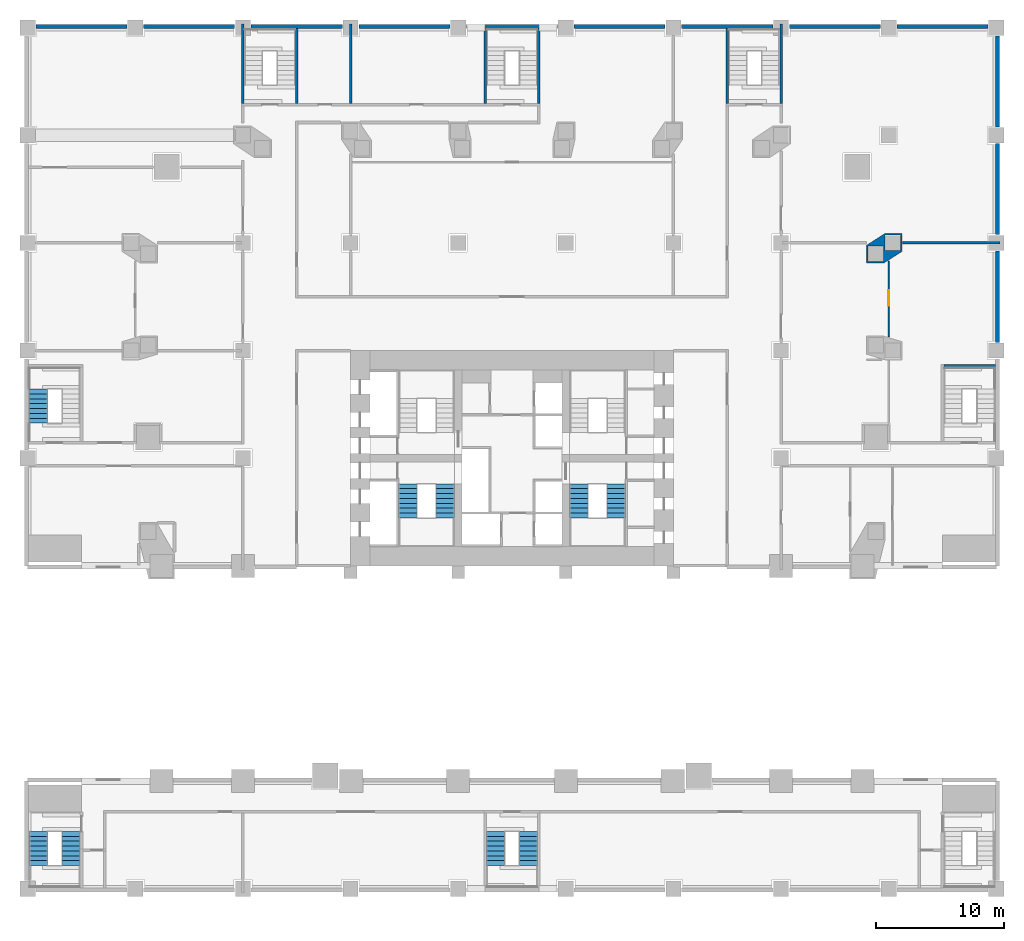
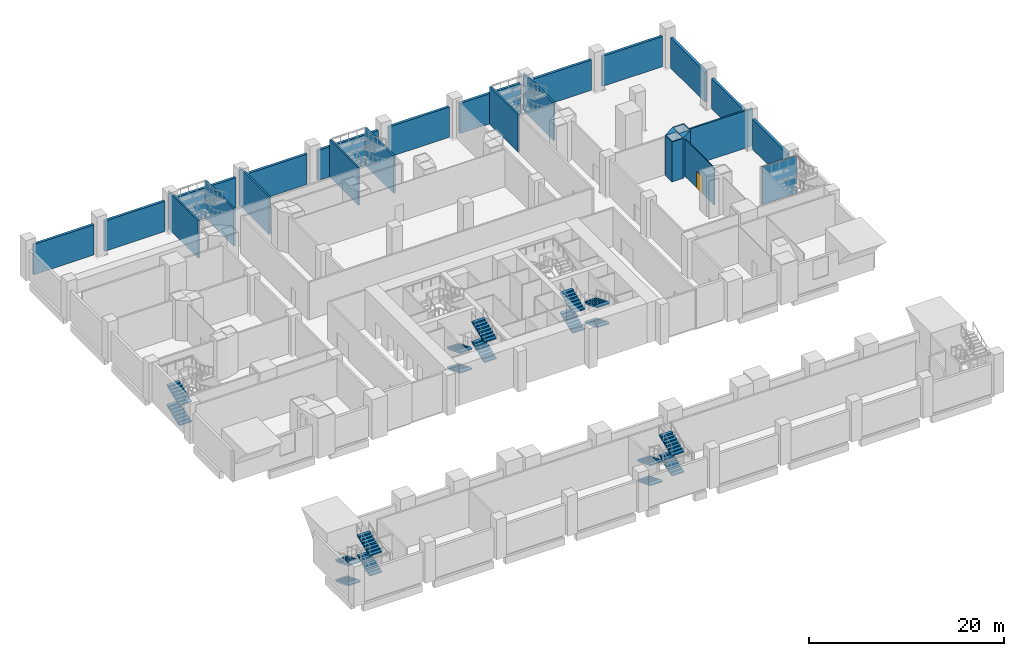
# One storey, part 9 of 16: 23 walls, 18 stair flights, 1 door, 1 opening, 5 elements without a shape of their own.
"""IFC4 building model written with IfcOpenShell, lengths in metres."""

from ifc_helpers import new_model, si_unit, direction, frame, frame_2d, origin, place, context, subcontext, project, spatial, polyline, rectangle, outline, extrude, material, layer, layer_set, type_object, element, fill, aggregate, save


model = new_model("IFC4")

# Units and contexts
model_context = context("Model", 3, precision=1e-05, world=origin(), true_north=direction((0.0, 1.0)))
body_context = subcontext(model_context, "Body", "Model", "MODEL_VIEW")
ifc_project = project(units=[si_unit("LENGTHUNIT", "METRE"), si_unit("AREAUNIT", "SQUARE_METRE"), si_unit("VOLUMEUNIT", "CUBIC_METRE"), si_unit("PLANEANGLEUNIT", "RADIAN"), si_unit("MASSUNIT", "GRAM", prefix="KILO")], contexts=[model_context])

# Site, building, storey
site_placement = place(None, origin())
site = spatial("IfcSite", under=ifc_project, at=site_placement, CompositionType="ELEMENT")
building_placement = place(site_placement, origin())
building = spatial("IfcBuilding", under=site, at=building_placement, Name="Marenta Gate Hotel Tower", CompositionType="ELEMENT")
storey_placement = place(building_placement, frame((0.0, 0.0, 21.0)))
storey = spatial("IfcBuildingStorey", under=building, at=storey_placement, Name="L03", CompositionType="ELEMENT", Elevation=21.0)

# Walls
ifc_material_1 = material(Name="Concrete C40 board-marked", Category="concrete")
ifc_layer_1 = layer(ifc_material_1, 0.300048828125)
ifc_layer_set_1 = layer_set([ifc_layer_1], Name="Concrete C40 board-marked")
wall_type_1 = type_object("IfcWallType", Name="Board-marked concrete wall 300 mm", PredefinedType="NOTDEFINED", material=ifc_layer_set_1)
wall_1_placement = place(storey_placement, frame((37.889892578125, 17.43994140625, 0.0), z_axis=(0.0, 0.0, 1.0), x_axis=(0.0, 1.0, 0.0)))
element("IfcWall", 1, at=wall_1_placement, inside=storey, type_object=wall_type_1, Name="L03-CLD-NB-E002", PredefinedType="NOTDEFINED", context=body_context, shape_type="SweptSolid", body=[
    extrude(rectangle(XDim=7.1201171875, YDim=0.300048828125, at=frame_2d((3.56005859375, 0.0))), origin(), (0.0, 0.0, 1.0), 3.780029296875),
])
wall_2_placement = place(storey_placement, frame((37.889892578125, 25.840087890625, 0.0), z_axis=(0.0, 0.0, 1.0), x_axis=(0.0, 1.0, 0.0)))
element("IfcWall", 2, at=wall_2_placement, inside=storey, type_object=wall_type_1, Name="L03-CLD-NB-E003", PredefinedType="NOTDEFINED", context=body_context, shape_type="SweptSolid", body=[
    extrude(rectangle(XDim=7.119873046875, YDim=0.300048828125, at=frame_2d((3.56005859375, 0.0))), origin(), (0.0, 0.0, 1.0), 3.780029296875),
])
wall_3_placement = place(storey_placement, frame((37.889892578125, 34.239990234375, 0.0), z_axis=(0.0, 0.0, 1.0), x_axis=(0.0, 1.0, 0.0)))
element("IfcWall", 3, at=wall_3_placement, inside=storey, type_object=wall_type_1, Name="L03-CLD-NB-E004", PredefinedType="NOTDEFINED", context=body_context, shape_type="SweptSolid", body=[
    extrude(rectangle(XDim=7.1201171875, YDim=0.300048828125, at=frame_2d((3.56005859375, 0.0))), origin(), (0.0, 0.0, 1.0), 3.780029296875),
])
wall_4_placement = place(storey_placement, frame((37.159912109375, 42.090087890625, 0.0), z_axis=(0.0, 0.0, 1.0), x_axis=(-1.0, 0.0, 0.0)))
element("IfcWall", 4, at=wall_4_placement, inside=storey, type_object=wall_type_1, Name="L03-CLD-NB-N000", PredefinedType="NOTDEFINED", context=body_context, shape_type="SweptSolid", body=[
    extrude(rectangle(XDim=7.119873046875, YDim=0.300048828125, at=frame_2d((3.56005859375, 0.0))), origin(), (0.0, 0.0, 1.0), 3.780029296875),
])
for number, where, z_axis, x_axis, name in (
    (5, (28.760009765625, 42.090087890625, 0.0), (0.0, 0.0, 1.0), (-1.0, 0.0, 0.0), "L03-CLD-NB-N001"),
    (6, (20.360107421875, 42.090087890625, 0.0), (0.0, 0.0, 1.0), (-1.0, 0.0, 0.0), "L03-CLD-NB-N002"),
):
    element("IfcWall", number, at=place(storey_placement, frame(where, z_axis=z_axis, x_axis=x_axis)), inside=storey, type_object=wall_type_1, Name=name, PredefinedType="NOTDEFINED", context=body_context, shape_type="SweptSolid", body=[
        extrude(rectangle(XDim=7.1201171875, YDim=0.300048828125, at=frame_2d((3.56005859375, 0.0))), origin(), (0.0, 0.0, 1.0), 3.780029296875),
    ])
wall_5_placement = place(storey_placement, frame((11.9599609375, 42.090087890625, 0.0), z_axis=(0.0, 0.0, 1.0), x_axis=(-1.0, 0.0, 0.0)))
element("IfcWall", 7, at=wall_5_placement, inside=storey, type_object=wall_type_1, Name="L03-CLD-NB-N003", PredefinedType="NOTDEFINED", context=body_context, shape_type="SweptSolid", body=[
    extrude(rectangle(XDim=7.119873046875, YDim=0.300048828125, at=frame_2d((3.56005859375, 0.0))), origin(), (0.0, 0.0, 1.0), 3.780029296875),
])
wall_6_placement = place(storey_placement, frame((3.56005859375, 42.090087890625, 0.0), z_axis=(0.0, 0.0, 1.0), x_axis=(-1.0, 0.0, 0.0)))
element("IfcWall", 8, at=wall_6_placement, inside=storey, type_object=wall_type_1, Name="L03-CLD-NB-N004", PredefinedType="NOTDEFINED", context=body_context, shape_type="SweptSolid", body=[
    extrude(rectangle(XDim=7.1201171875, YDim=0.300048828125, at=frame_2d((3.56005859375, 0.0))), origin(), (0.0, 0.0, 1.0), 3.780029296875),
])
wall_7_placement = place(storey_placement, frame((-4.840087890625, 42.090087890625, 0.0), z_axis=(0.0, 0.0, 1.0), x_axis=(-1.0, 0.0, 0.0)))
element("IfcWall", 9, at=wall_7_placement, inside=storey, type_object=wall_type_1, Name="L03-CLD-NB-N005", PredefinedType="NOTDEFINED", context=body_context, shape_type="SweptSolid", body=[
    extrude(rectangle(XDim=7.119873046875, YDim=0.300048828125, at=frame_2d((3.56005859375, 0.0))), origin(), (0.0, 0.0, 1.0), 3.780029296875),
])
for number, where, z_axis, x_axis, name in (
    (10, (-13.239990234375, 42.090087890625, 0.0), (0.0, 0.0, 1.0), (-1.0, 0.0, 0.0), "L03-CLD-NB-N006"),
    (11, (-21.639892578125, 42.090087890625, 0.0), (0.0, 0.0, 1.0), (-1.0, 0.0, 0.0), "L03-CLD-NB-N007"),
):
    element("IfcWall", number, at=place(storey_placement, frame(where, z_axis=z_axis, x_axis=x_axis)), inside=storey, type_object=wall_type_1, Name=name, PredefinedType="NOTDEFINED", context=body_context, shape_type="SweptSolid", body=[
        extrude(rectangle(XDim=7.1201171875, YDim=0.300048828125, at=frame_2d((3.56005859375, 0.0))), origin(), (0.0, 0.0, 1.0), 3.780029296875),
    ])
wall_8_placement = place(storey_placement, frame((-30.0400390625, 42.090087890625, 0.0), z_axis=(0.0, 0.0, 1.0), x_axis=(-1.0, 0.0, 0.0)))
element("IfcWall", 12, at=wall_8_placement, inside=storey, type_object=wall_type_1, Name="L03-CLD-NB-N008", PredefinedType="NOTDEFINED", context=body_context, shape_type="SweptSolid", body=[
    extrude(rectangle(XDim=7.119873046875, YDim=0.300048828125, at=frame_2d((3.56005859375, 0.0))), origin(), (0.0, 0.0, 1.0), 3.780029296875),
])
ifc_material_2 = material(Name="Concrete C70", Category="concrete")
ifc_layer_2 = layer(ifc_material_2, 1.60009765625)
ifc_layer_set_2 = layer_set([ifc_layer_2], Name="Concrete C70")
wall_type_2 = type_object("IfcWallType", Name="Pier wall board-marked concrete C70", PredefinedType="SOLIDWALL", material=ifc_layer_set_2)
wall_9_placement = place(storey_placement, origin())
element("IfcWall", 13, at=wall_9_placement, inside=storey, type_object=wall_type_2, Name="L03-PIER-10", PredefinedType="SOLIDWALL", context=body_context, shape_type="SweptSolid", body=[
    extrude(outline(polyline([(27.679931640625, 25.022216796875), (29.0849609375, 25.919921875), (30.43994140625, 25.919921875), (30.43994140625, 24.5341796875), (29.03515625, 23.636474609375), (27.679931640625, 23.636474609375), (27.679931640625, 25.022216796875)]), holes=[polyline([(29.1201171875, 24.60009765625), (30.320068359375, 24.60009765625), (30.320068359375, 25.800048828125), (29.1201171875, 25.800048828125), (29.1201171875, 24.60009765625)]), polyline([(27.800048828125, 23.75634765625), (29.0, 23.75634765625), (29.0, 24.956298828125), (27.800048828125, 24.956298828125), (27.800048828125, 23.75634765625)])]), origin(), (0.0, 0.0, 1.0), 5.0),
])

# Wall, opening, door
ifc_material_3 = material(Name="Gypsum board on steel stud", Category="steel")
ifc_layer_3 = layer(ifc_material_3, 0.10009765625)
ifc_layer_set_3 = layer_set([ifc_layer_3], Name="Gypsum board on steel stud")
wall_type_3 = type_object("IfcWallType", Name="Room partition 100", PredefinedType="PARTITIONING", material=ifc_layer_set_3)
wall_10_placement = place(storey_placement, frame((29.39990234375, 17.8779296875, 0.0), z_axis=(0.0, 0.0, 1.0), x_axis=(0.0, 1.0, 0.0)))
wall_10 = element("IfcWall", 14, at=wall_10_placement, inside=storey, type_object=wall_type_3, Name="L03-PTN-W009", PredefinedType="PARTITIONING", context=body_context, shape_type="SweptSolid", body=[
    extrude(rectangle(XDim=5.9111328125, YDim=0.10009765625, at=frame_2d((2.95556640625, 0.0))), origin(), (0.0, 0.0, 1.0), 4.679931640625),
])
opening_placement = place(wall_10_placement, frame((2.412109375, 0.0, 0.0)))
opening = element("IfcOpeningElement", 15, at=opening_placement, cuts=wall_10, Name="Opening S04-12", PredefinedType="OPENING", context=body_context, shape_type="SweptSolid", body=[
    extrude(rectangle(XDim=1.199951171875, YDim=2.10009765625, at=frame_2d((0.60009765625, 1.050048828125))), frame((0.0, 0.050048828125, 0.0), z_axis=(0.0, -1.0, 0.0), x_axis=(1.0, 0.0, 0.0)), (0.0, 0.0, 1.0), 0.10009765625),
])
ifc_material_4 = material(Name="Hollow steel door set", Category="steel")
door_type = type_object("IfcDoorType", Name="Kitchen room door 1200x2100", OperationType="NOTDEFINED", PredefinedType="DOOR", material=ifc_material_4)
door_placement = place(opening_placement, origin())
door = element("IfcDoor", 16, at=door_placement, inside=storey, type_object=door_type, Name="L03-PD-D012", OperationType="SINGLE_SWING_LEFT", OverallHeight=2.10009765625, OverallWidth=1.199951171875, PredefinedType="DOOR", context=body_context, shape_type="SweptSolid", body=[
    extrude(rectangle(XDim=1.199951171875, YDim=2.10009765625, at=frame_2d((0.60009765625, 1.050048828125))), frame((0.0, 0.02490234375, 0.0), z_axis=(0.0, -1.0, 0.0), x_axis=(1.0, 0.0, 0.0)), (0.0, 0.0, 1.0), 0.050048828125),
])
fill(opening, door)

# Walls
ifc_material_5 = material(Name="Concrete blockwork", Category="masonry")
ifc_layer_4 = layer(ifc_material_5, 0.199951171875)
ifc_layer_set_4 = layer_set([ifc_layer_4], Name="Concrete blockwork")
wall_type_4 = type_object("IfcWallType", Name="Room party wall 200 EI 120", PredefinedType="PARTITIONING", material=ifc_layer_set_4)
wall_11_placement = place(storey_placement, frame((-12.60009765625, 36.10009765625, 0.0), z_axis=(0.0, 0.0, 1.0), x_axis=(0.0, 1.0, 0.0)))
element("IfcWall", 17, at=wall_11_placement, inside=storey, type_object=wall_type_4, Name="L03-PTN-W043", PredefinedType="PARTITIONING", context=body_context, shape_type="SweptSolid", body=[
    extrude(rectangle(XDim=6.199951171875, YDim=0.199951171875, at=frame_2d((3.10009765625, 0.0))), origin(), (0.0, 0.0, 1.0), 4.679931640625),
])
wall_12_placement = place(storey_placement, frame((30.489990234375, 25.199951171875, 0.0), z_axis=(0.0, 0.0, 1.0), x_axis=(1.0, 0.0, 0.0)))
element("IfcWall", 18, at=wall_12_placement, inside=storey, type_object=wall_type_4, Name="L03-PTN-W064", PredefinedType="PARTITIONING", context=body_context, shape_type="SweptSolid", body=[
    extrude(rectangle(XDim=7.610107421875, YDim=0.199951171875, at=frame_2d((3.80517578125, 0.0))), origin(), (0.0, 0.0, 1.0), 4.679931640625),
])
ifc_material_6 = material(Name="Concrete blockwork", Category="masonry")
ifc_layer_5 = layer(ifc_material_6, 0.199951171875)
ifc_layer_set_5 = layer_set([ifc_layer_5], Name="Concrete blockwork")
wall_type_5 = type_object("IfcWallType", Name="Room party wall 200 REI 180", PredefinedType="PARTITIONING", material=ifc_layer_set_5)
wall_13_placement = place(storey_placement, frame((21.0, 36.10009765625, 0.0), z_axis=(0.0, 0.0, 1.0), x_axis=(0.0, 1.0, 0.0)))
element("IfcWall", 19, at=wall_13_placement, inside=storey, type_object=wall_type_5, Name="L03-PTN-W020", PredefinedType="PARTITIONING", context=body_context, shape_type="SweptSolid", body=[
    extrude(rectangle(XDim=6.199951171875, YDim=0.199951171875, at=frame_2d((3.10009765625, 0.0))), origin(), (0.0, 0.0, 1.0), 4.679931640625),
])
for number, where, z_axis, x_axis, name in (
    (20, (16.800048828125, 36.10009765625, 0.0), (0.0, 0.0, 1.0), (0.0, 1.0, 0.0), "L03-PTN-W025"),
    (21, (2.10009765625, 36.10009765625, 0.0), (0.0, 0.0, 1.0), (0.0, 1.0, 0.0), "L03-PTN-W029"),
    (22, (-2.10009765625, 36.10009765625, 0.0), (0.0, 0.0, 1.0), (0.0, 1.0, 0.0), "L03-PTN-W032"),
):
    element("IfcWall", number, at=place(storey_placement, frame(where, z_axis=z_axis, x_axis=x_axis)), inside=storey, type_object=wall_type_5, Name=name, PredefinedType="PARTITIONING", context=body_context, shape_type="SweptSolid", body=[
        extrude(rectangle(XDim=5.83984375, YDim=0.199951171875, at=frame_2d((2.919921875, 0.0))), origin(), (0.0, 0.0, 1.0), 4.679931640625),
    ])
wall_14_placement = place(storey_placement, frame((33.699951171875, 15.60009765625, 0.0), z_axis=(0.0, 0.0, 1.0), x_axis=(1.0, 0.0, 0.0)))
element("IfcWall", 23, at=wall_14_placement, inside=storey, type_object=wall_type_5, Name="L03-PTN-W045", PredefinedType="PARTITIONING", context=body_context, shape_type="SweptSolid", body=[
    extrude(rectangle(XDim=4.0400390625, YDim=0.199951171875, at=frame_2d((2.02001953125, 0.0))), origin(), (0.0, 0.0, 1.0), 4.679931640625),
])
wall_15_placement = place(storey_placement, frame((-16.800048828125, 36.10009765625, 0.0), z_axis=(0.0, 0.0, 1.0), x_axis=(0.0, 1.0, 0.0)))
element("IfcWall", 24, at=wall_15_placement, inside=storey, type_object=wall_type_5, Name="L03-PTN-W049", PredefinedType="PARTITIONING", context=body_context, shape_type="SweptSolid", body=[
    extrude(rectangle(XDim=5.83984375, YDim=0.199951171875, at=frame_2d((2.919921875, 0.0))), origin(), (0.0, 0.0, 1.0), 4.679931640625),
])
wall_16_placement = place(storey_placement, frame((-21.0, 36.10009765625, 0.0), z_axis=(0.0, 0.0, 1.0), x_axis=(0.0, 1.0, 0.0)))
element("IfcWall", 25, at=wall_16_placement, inside=storey, type_object=wall_type_5, Name="L03-PTN-W057", PredefinedType="PARTITIONING", context=body_context, shape_type="SweptSolid", body=[
    extrude(rectangle(XDim=6.199951171875, YDim=0.199951171875, at=frame_2d((3.10009765625, 0.0))), origin(), (0.0, 0.0, 1.0), 4.679931640625),
])

# Stair, stair flights
ifc_material_7 = material(Name="Concrete C40", Category="concrete")
stair_type_1 = type_object("IfcStairType", Name="Core exit stair 1430 wide", PredefinedType="HALF_TURN_STAIR", material=ifc_material_7)
stair_1_placement = place(storey_placement, origin())
stair_1 = element("IfcStair", 26, at=stair_1_placement, inside=storey, type_object=stair_type_1, Name="Exit stair 1", PredefinedType="HALF_TURN_STAIR")
ifc_material_8 = material(Name="Concrete C40", Category="concrete")
stair_flight_type_1 = type_object("IfcStairFlightType", Name="Core stair flight 1430 riser 156.2 going 380", PredefinedType="STRAIGHT", material=ifc_material_8)
stair_flight_1_placement = place(storey_placement, frame((-8.135009765625, 6.39990234375, 0.0), z_axis=(0.0, 0.0, 1.0), x_axis=(0.0, -1.0, 0.0)))
stair_flight_1 = element("IfcStairFlight", 27, at=stair_flight_1_placement, type_object=stair_flight_type_1, Name="ST1 flight 1", NumberOfRisers=8, NumberOfTreads=7, PredefinedType="STRAIGHT", RiserHeight=0.15625, TreadLength=0.38, context=body_context, shape_type="SweptSolid", body=[
    extrude(outline(polyline([(0.0, 0.0), (0.0, 0.15625), (0.3798828125, 0.15625), (0.3798828125, 0.3125), (0.760009765625, 0.3125), (0.760009765625, 0.46875), (1.139892578125, 0.46875), (1.139892578125, 0.625), (1.52001953125, 0.625), (1.52001953125, 0.78125), (1.89990234375, 0.78125), (1.89990234375, 0.9375), (2.280029296875, 0.9375), (2.280029296875, 1.09375), (2.659912109375, 1.09375), (2.659912109375, 1.25), (2.659912109375, 0.931640625), (0.394287109375, 0.0), (0.0, 0.0)])), frame((0.0, 0.71484375, 0.0), z_axis=(0.0, -1.0, 0.0), x_axis=(1.0, 0.0, 0.0)), (0.0, 0.0, 1.0), 1.429931640625),
])
stair_flight_2_placement = place(storey_placement, frame((-5.215087890625, 3.739990234375, 1.25), z_axis=(0.0, 0.0, 1.0), x_axis=(0.0, 1.0, 0.0)))
stair_flight_2 = element("IfcStairFlight", 28, at=stair_flight_2_placement, type_object=stair_flight_type_1, Name="ST1 flight 2", NumberOfRisers=8, NumberOfTreads=7, PredefinedType="STRAIGHT", RiserHeight=0.15625, TreadLength=0.38, context=body_context, shape_type="SweptSolid", body=[
    extrude(outline(polyline([(0.0, 0.0), (0.0, 0.15625), (0.3798828125, 0.15625), (0.3798828125, 0.3125), (0.760009765625, 0.3125), (0.760009765625, 0.46875), (1.139892578125, 0.46875), (1.139892578125, 0.625), (1.52001953125, 0.625), (1.52001953125, 0.78125), (1.89990234375, 0.78125), (1.89990234375, 0.9375), (2.280029296875, 0.9375), (2.280029296875, 1.09375), (2.659912109375, 1.09375), (2.659912109375, 1.25), (2.659912109375, 0.931640625), (0.394287109375, 0.0), (0.0, 0.0)])), frame((0.0, 0.71484375, 0.0), z_axis=(0.0, -1.0, 0.0), x_axis=(1.0, 0.0, 0.0)), (0.0, 0.0, 1.0), 1.429931640625),
])
stair_flight_3_placement = place(storey_placement, frame((-8.135009765625, 6.39990234375, 2.5), z_axis=(0.0, 0.0, 1.0), x_axis=(0.0, -1.0, 0.0)))
stair_flight_3 = element("IfcStairFlight", 29, at=stair_flight_3_placement, type_object=stair_flight_type_1, Name="ST1 flight 3", NumberOfRisers=8, NumberOfTreads=7, PredefinedType="STRAIGHT", RiserHeight=0.15625, TreadLength=0.38, context=body_context, shape_type="SweptSolid", body=[
    extrude(outline(polyline([(0.0, 0.0), (0.0, 0.15625), (0.3798828125, 0.15625), (0.3798828125, 0.3125), (0.760009765625, 0.3125), (0.760009765625, 0.46875), (1.139892578125, 0.46875), (1.139892578125, 0.625), (1.52001953125, 0.625), (1.52001953125, 0.78125), (1.89990234375, 0.78125), (1.89990234375, 0.9375), (2.280029296875, 0.9375), (2.280029296875, 1.09375), (2.659912109375, 1.09375), (2.659912109375, 1.25), (2.659912109375, 0.931640625), (0.394287109375, 0.0), (0.0, 0.0)])), frame((0.0, 0.71484375, 0.0), z_axis=(0.0, -1.0, 0.0), x_axis=(1.0, 0.0, 0.0)), (0.0, 0.0, 1.0), 1.429931640625),
])
stair_flight_4_placement = place(storey_placement, frame((-5.215087890625, 3.739990234375, 3.75), z_axis=(0.0, 0.0, 1.0), x_axis=(0.0, 1.0, 0.0)))
stair_flight_4 = element("IfcStairFlight", 30, at=stair_flight_4_placement, type_object=stair_flight_type_1, Name="ST1 flight 4", NumberOfRisers=8, NumberOfTreads=7, PredefinedType="STRAIGHT", RiserHeight=0.15625, TreadLength=0.38, context=body_context, shape_type="SweptSolid", body=[
    extrude(outline(polyline([(0.0, 0.0), (0.0, 0.15625), (0.3798828125, 0.15625), (0.3798828125, 0.3125), (0.760009765625, 0.3125), (0.760009765625, 0.46875), (1.139892578125, 0.46875), (1.139892578125, 0.625), (1.52001953125, 0.625), (1.52001953125, 0.78125), (1.89990234375, 0.78125), (1.89990234375, 0.9375), (2.280029296875, 0.9375), (2.280029296875, 1.09375), (2.659912109375, 1.09375), (2.659912109375, 1.25), (2.659912109375, 0.931640625), (0.394287109375, 0.0), (0.0, 0.0)])), frame((0.0, 0.71484375, 0.0), z_axis=(0.0, -1.0, 0.0), x_axis=(1.0, 0.0, 0.0)), (0.0, 0.0, 1.0), 1.429931640625),
])
aggregate(stair_1, [stair_flight_1, stair_flight_2, stair_flight_3, stair_flight_4])

stair_2_placement = place(storey_placement, origin())
stair_2 = element("IfcStair", 31, at=stair_2_placement, inside=storey, type_object=stair_type_1, Name="Exit stair 3", PredefinedType="HALF_TURN_STAIR")
stair_flight_5_placement = place(storey_placement, frame((8.135009765625, 6.39990234375, 0.0), z_axis=(0.0, 0.0, 1.0), x_axis=(0.0, -1.0, 0.0)))
stair_flight_5 = element("IfcStairFlight", 32, at=stair_flight_5_placement, type_object=stair_flight_type_1, Name="ST3 flight 1", NumberOfRisers=8, NumberOfTreads=7, PredefinedType="STRAIGHT", RiserHeight=0.15625, TreadLength=0.38, context=body_context, shape_type="SweptSolid", body=[
    extrude(outline(polyline([(0.0, 0.0), (0.0, 0.15625), (0.3798828125, 0.15625), (0.3798828125, 0.3125), (0.760009765625, 0.3125), (0.760009765625, 0.46875), (1.139892578125, 0.46875), (1.139892578125, 0.625), (1.52001953125, 0.625), (1.52001953125, 0.78125), (1.89990234375, 0.78125), (1.89990234375, 0.9375), (2.280029296875, 0.9375), (2.280029296875, 1.09375), (2.659912109375, 1.09375), (2.659912109375, 1.25), (2.659912109375, 0.931640625), (0.394287109375, 0.0), (0.0, 0.0)])), frame((0.0, 0.71484375, 0.0), z_axis=(0.0, -1.0, 0.0), x_axis=(1.0, 0.0, 0.0)), (0.0, 0.0, 1.0), 1.429931640625),
])
stair_flight_6_placement = place(storey_placement, frame((5.215087890625, 3.739990234375, 1.25), z_axis=(0.0, 0.0, 1.0), x_axis=(0.0, 1.0, 0.0)))
stair_flight_6 = element("IfcStairFlight", 33, at=stair_flight_6_placement, type_object=stair_flight_type_1, Name="ST3 flight 2", NumberOfRisers=8, NumberOfTreads=7, PredefinedType="STRAIGHT", RiserHeight=0.15625, TreadLength=0.38, context=body_context, shape_type="SweptSolid", body=[
    extrude(outline(polyline([(0.0, 0.0), (0.0, 0.15625), (0.3798828125, 0.15625), (0.3798828125, 0.3125), (0.760009765625, 0.3125), (0.760009765625, 0.46875), (1.139892578125, 0.46875), (1.139892578125, 0.625), (1.52001953125, 0.625), (1.52001953125, 0.78125), (1.89990234375, 0.78125), (1.89990234375, 0.9375), (2.280029296875, 0.9375), (2.280029296875, 1.09375), (2.659912109375, 1.09375), (2.659912109375, 1.25), (2.659912109375, 0.931640625), (0.394287109375, 0.0), (0.0, 0.0)])), frame((0.0, 0.71484375, 0.0), z_axis=(0.0, -1.0, 0.0), x_axis=(1.0, 0.0, 0.0)), (0.0, 0.0, 1.0), 1.429931640625),
])
stair_flight_7_placement = place(storey_placement, frame((8.135009765625, 6.39990234375, 2.5), z_axis=(0.0, 0.0, 1.0), x_axis=(0.0, -1.0, 0.0)))
stair_flight_7 = element("IfcStairFlight", 34, at=stair_flight_7_placement, type_object=stair_flight_type_1, Name="ST3 flight 3", NumberOfRisers=8, NumberOfTreads=7, PredefinedType="STRAIGHT", RiserHeight=0.15625, TreadLength=0.38, context=body_context, shape_type="SweptSolid", body=[
    extrude(outline(polyline([(0.0, 0.0), (0.0, 0.15625), (0.3798828125, 0.15625), (0.3798828125, 0.3125), (0.760009765625, 0.3125), (0.760009765625, 0.46875), (1.139892578125, 0.46875), (1.139892578125, 0.625), (1.52001953125, 0.625), (1.52001953125, 0.78125), (1.89990234375, 0.78125), (1.89990234375, 0.9375), (2.280029296875, 0.9375), (2.280029296875, 1.09375), (2.659912109375, 1.09375), (2.659912109375, 1.25), (2.659912109375, 0.931640625), (0.394287109375, 0.0), (0.0, 0.0)])), frame((0.0, 0.71484375, 0.0), z_axis=(0.0, -1.0, 0.0), x_axis=(1.0, 0.0, 0.0)), (0.0, 0.0, 1.0), 1.429931640625),
])
stair_flight_8_placement = place(storey_placement, frame((5.215087890625, 3.739990234375, 3.75), z_axis=(0.0, 0.0, 1.0), x_axis=(0.0, 1.0, 0.0)))
stair_flight_8 = element("IfcStairFlight", 35, at=stair_flight_8_placement, type_object=stair_flight_type_1, Name="ST3 flight 4", NumberOfRisers=8, NumberOfTreads=7, PredefinedType="STRAIGHT", RiserHeight=0.15625, TreadLength=0.38, context=body_context, shape_type="SweptSolid", body=[
    extrude(outline(polyline([(0.0, 0.0), (0.0, 0.15625), (0.3798828125, 0.15625), (0.3798828125, 0.3125), (0.760009765625, 0.3125), (0.760009765625, 0.46875), (1.139892578125, 0.46875), (1.139892578125, 0.625), (1.52001953125, 0.625), (1.52001953125, 0.78125), (1.89990234375, 0.78125), (1.89990234375, 0.9375), (2.280029296875, 0.9375), (2.280029296875, 1.09375), (2.659912109375, 1.09375), (2.659912109375, 1.25), (2.659912109375, 0.931640625), (0.394287109375, 0.0), (0.0, 0.0)])), frame((0.0, 0.71484375, 0.0), z_axis=(0.0, -1.0, 0.0), x_axis=(1.0, 0.0, 0.0)), (0.0, 0.0, 1.0), 1.429931640625),
])
aggregate(stair_2, [stair_flight_5, stair_flight_6, stair_flight_7, stair_flight_8])

ifc_material_9 = material(Name="Concrete C40", Category="concrete")
stair_type_2 = type_object("IfcStairType", Name="Podium exit stair 1430 wide", PredefinedType="HALF_TURN_STAIR", material=ifc_material_9)
stair_3_placement = place(storey_placement, origin())
stair_3 = element("IfcStair", 36, at=stair_3_placement, inside=storey, type_object=stair_type_2, Name="Podium exit stair 1", PredefinedType="HALF_TURN_STAIR")
ifc_material_10 = material(Name="Concrete C40", Category="concrete")
stair_flight_type_2 = type_object("IfcStairFlightType", Name="Podium stair flight 1430 riser 156.2 going 380", PredefinedType="STRAIGHT", material=ifc_material_10)
stair_flight_9_placement = place(storey_placement, frame((-36.985107421875, -20.72998046875, 0.0), z_axis=(0.0, 0.0, 1.0), x_axis=(0.0, -1.0, 0.0)))
stair_flight_9 = element("IfcStairFlight", 37, at=stair_flight_9_placement, type_object=stair_flight_type_2, Name="PX1 flight 1", NumberOfRisers=8, NumberOfTreads=7, PredefinedType="STRAIGHT", RiserHeight=0.15625, TreadLength=0.38, context=body_context, shape_type="SweptSolid", body=[
    extrude(outline(polyline([(0.0, 0.0), (0.0, 0.15625), (0.3798828125, 0.15625), (0.3798828125, 0.3125), (0.760009765625, 0.3125), (0.760009765625, 0.46875), (1.139892578125, 0.46875), (1.139892578125, 0.625), (1.52001953125, 0.625), (1.52001953125, 0.78125), (1.89990234375, 0.78125), (1.89990234375, 0.9375), (2.280029296875, 0.9375), (2.280029296875, 1.09375), (2.659912109375, 1.09375), (2.659912109375, 1.25), (2.659912109375, 0.931640625), (0.394287109375, 0.0), (0.0, 0.0)])), frame((0.0, 0.71484375, 0.0), z_axis=(0.0, -1.0, 0.0), x_axis=(1.0, 0.0, 0.0)), (0.0, 0.0, 1.0), 1.429931640625),
])
stair_flight_10_placement = place(storey_placement, frame((-34.4150390625, -23.389892578125, 1.25), z_axis=(0.0, 0.0, 1.0), x_axis=(0.0, 1.0, 0.0)))
stair_flight_10 = element("IfcStairFlight", 38, at=stair_flight_10_placement, type_object=stair_flight_type_2, Name="PX1 flight 2", NumberOfRisers=8, NumberOfTreads=7, PredefinedType="STRAIGHT", RiserHeight=0.15625, TreadLength=0.38, context=body_context, shape_type="SweptSolid", body=[
    extrude(outline(polyline([(0.0, 0.0), (0.0, 0.15625), (0.3798828125, 0.15625), (0.3798828125, 0.3125), (0.760009765625, 0.3125), (0.760009765625, 0.46875), (1.139892578125, 0.46875), (1.139892578125, 0.625), (1.52001953125, 0.625), (1.52001953125, 0.78125), (1.89990234375, 0.78125), (1.89990234375, 0.9375), (2.280029296875, 0.9375), (2.280029296875, 1.09375), (2.659912109375, 1.09375), (2.659912109375, 1.25), (2.659912109375, 0.931640625), (0.394287109375, 0.0), (0.0, 0.0)])), frame((0.0, 0.71484375, 0.0), z_axis=(0.0, -1.0, 0.0), x_axis=(1.0, 0.0, 0.0)), (0.0, 0.0, 1.0), 1.429931640625),
])
stair_flight_11_placement = place(storey_placement, frame((-36.985107421875, -20.72998046875, 2.5), z_axis=(0.0, 0.0, 1.0), x_axis=(0.0, -1.0, 0.0)))
stair_flight_11 = element("IfcStairFlight", 39, at=stair_flight_11_placement, type_object=stair_flight_type_2, Name="PX1 flight 3", NumberOfRisers=8, NumberOfTreads=7, PredefinedType="STRAIGHT", RiserHeight=0.15625, TreadLength=0.38, context=body_context, shape_type="SweptSolid", body=[
    extrude(outline(polyline([(0.0, 0.0), (0.0, 0.15625), (0.3798828125, 0.15625), (0.3798828125, 0.3125), (0.760009765625, 0.3125), (0.760009765625, 0.46875), (1.139892578125, 0.46875), (1.139892578125, 0.625), (1.52001953125, 0.625), (1.52001953125, 0.78125), (1.89990234375, 0.78125), (1.89990234375, 0.9375), (2.280029296875, 0.9375), (2.280029296875, 1.09375), (2.659912109375, 1.09375), (2.659912109375, 1.25), (2.659912109375, 0.931640625), (0.394287109375, 0.0), (0.0, 0.0)])), frame((0.0, 0.71484375, 0.0), z_axis=(0.0, -1.0, 0.0), x_axis=(1.0, 0.0, 0.0)), (0.0, 0.0, 1.0), 1.429931640625),
])
stair_flight_12_placement = place(storey_placement, frame((-34.4150390625, -23.389892578125, 3.75), z_axis=(0.0, 0.0, 1.0), x_axis=(0.0, 1.0, 0.0)))
stair_flight_12 = element("IfcStairFlight", 40, at=stair_flight_12_placement, type_object=stair_flight_type_2, Name="PX1 flight 4", NumberOfRisers=8, NumberOfTreads=7, PredefinedType="STRAIGHT", RiserHeight=0.15625, TreadLength=0.38, context=body_context, shape_type="SweptSolid", body=[
    extrude(outline(polyline([(0.0, 0.0), (0.0, 0.15625), (0.3798828125, 0.15625), (0.3798828125, 0.3125), (0.760009765625, 0.3125), (0.760009765625, 0.46875), (1.139892578125, 0.46875), (1.139892578125, 0.625), (1.52001953125, 0.625), (1.52001953125, 0.78125), (1.89990234375, 0.78125), (1.89990234375, 0.9375), (2.280029296875, 0.9375), (2.280029296875, 1.09375), (2.659912109375, 1.09375), (2.659912109375, 1.25), (2.659912109375, 0.931640625), (0.394287109375, 0.0), (0.0, 0.0)])), frame((0.0, 0.71484375, 0.0), z_axis=(0.0, -1.0, 0.0), x_axis=(1.0, 0.0, 0.0)), (0.0, 0.0, 1.0), 1.429931640625),
])
aggregate(stair_3, [stair_flight_9, stair_flight_10, stair_flight_11, stair_flight_12])

stair_4_placement = place(storey_placement, origin())
stair_4 = element("IfcStair", 41, at=stair_4_placement, inside=storey, type_object=stair_type_2, Name="Podium exit stair 5", PredefinedType="HALF_TURN_STAIR")
stair_flight_13_placement = place(storey_placement, frame((-1.284912109375, -20.72998046875, 0.0), z_axis=(0.0, 0.0, 1.0), x_axis=(0.0, -1.0, 0.0)))
stair_flight_13 = element("IfcStairFlight", 42, at=stair_flight_13_placement, type_object=stair_flight_type_2, Name="PX5 flight 1", NumberOfRisers=8, NumberOfTreads=7, PredefinedType="STRAIGHT", RiserHeight=0.15625, TreadLength=0.38, context=body_context, shape_type="SweptSolid", body=[
    extrude(outline(polyline([(0.0, 0.0), (0.0, 0.15625), (0.3798828125, 0.15625), (0.3798828125, 0.3125), (0.760009765625, 0.3125), (0.760009765625, 0.46875), (1.139892578125, 0.46875), (1.139892578125, 0.625), (1.52001953125, 0.625), (1.52001953125, 0.78125), (1.89990234375, 0.78125), (1.89990234375, 0.9375), (2.280029296875, 0.9375), (2.280029296875, 1.09375), (2.659912109375, 1.09375), (2.659912109375, 1.25), (2.659912109375, 0.931640625), (0.394287109375, 0.0), (0.0, 0.0)])), frame((0.0, 0.71484375, 0.0), z_axis=(0.0, -1.0, 0.0), x_axis=(1.0, 0.0, 0.0)), (0.0, 0.0, 1.0), 1.429931640625),
])
stair_flight_14_placement = place(storey_placement, frame((1.284912109375, -23.389892578125, 1.25), z_axis=(0.0, 0.0, 1.0), x_axis=(0.0, 1.0, 0.0)))
stair_flight_14 = element("IfcStairFlight", 43, at=stair_flight_14_placement, type_object=stair_flight_type_2, Name="PX5 flight 2", NumberOfRisers=8, NumberOfTreads=7, PredefinedType="STRAIGHT", RiserHeight=0.15625, TreadLength=0.38, context=body_context, shape_type="SweptSolid", body=[
    extrude(outline(polyline([(0.0, 0.0), (0.0, 0.15625), (0.3798828125, 0.15625), (0.3798828125, 0.3125), (0.760009765625, 0.3125), (0.760009765625, 0.46875), (1.139892578125, 0.46875), (1.139892578125, 0.625), (1.52001953125, 0.625), (1.52001953125, 0.78125), (1.89990234375, 0.78125), (1.89990234375, 0.9375), (2.280029296875, 0.9375), (2.280029296875, 1.09375), (2.659912109375, 1.09375), (2.659912109375, 1.25), (2.659912109375, 0.931640625), (0.394287109375, 0.0), (0.0, 0.0)])), frame((0.0, 0.71484375, 0.0), z_axis=(0.0, -1.0, 0.0), x_axis=(1.0, 0.0, 0.0)), (0.0, 0.0, 1.0), 1.429931640625),
])
stair_flight_15_placement = place(storey_placement, frame((-1.284912109375, -20.72998046875, 2.5), z_axis=(0.0, 0.0, 1.0), x_axis=(0.0, -1.0, 0.0)))
stair_flight_15 = element("IfcStairFlight", 44, at=stair_flight_15_placement, type_object=stair_flight_type_2, Name="PX5 flight 3", NumberOfRisers=8, NumberOfTreads=7, PredefinedType="STRAIGHT", RiserHeight=0.15625, TreadLength=0.38, context=body_context, shape_type="SweptSolid", body=[
    extrude(outline(polyline([(0.0, 0.0), (0.0, 0.15625), (0.3798828125, 0.15625), (0.3798828125, 0.3125), (0.760009765625, 0.3125), (0.760009765625, 0.46875), (1.139892578125, 0.46875), (1.139892578125, 0.625), (1.52001953125, 0.625), (1.52001953125, 0.78125), (1.89990234375, 0.78125), (1.89990234375, 0.9375), (2.280029296875, 0.9375), (2.280029296875, 1.09375), (2.659912109375, 1.09375), (2.659912109375, 1.25), (2.659912109375, 0.931640625), (0.394287109375, 0.0), (0.0, 0.0)])), frame((0.0, 0.71484375, 0.0), z_axis=(0.0, -1.0, 0.0), x_axis=(1.0, 0.0, 0.0)), (0.0, 0.0, 1.0), 1.429931640625),
])
stair_flight_16_placement = place(storey_placement, frame((1.284912109375, -23.389892578125, 3.75), z_axis=(0.0, 0.0, 1.0), x_axis=(0.0, 1.0, 0.0)))
stair_flight_16 = element("IfcStairFlight", 45, at=stair_flight_16_placement, type_object=stair_flight_type_2, Name="PX5 flight 4", NumberOfRisers=8, NumberOfTreads=7, PredefinedType="STRAIGHT", RiserHeight=0.15625, TreadLength=0.38, context=body_context, shape_type="SweptSolid", body=[
    extrude(outline(polyline([(0.0, 0.0), (0.0, 0.15625), (0.3798828125, 0.15625), (0.3798828125, 0.3125), (0.760009765625, 0.3125), (0.760009765625, 0.46875), (1.139892578125, 0.46875), (1.139892578125, 0.625), (1.52001953125, 0.625), (1.52001953125, 0.78125), (1.89990234375, 0.78125), (1.89990234375, 0.9375), (2.280029296875, 0.9375), (2.280029296875, 1.09375), (2.659912109375, 1.09375), (2.659912109375, 1.25), (2.659912109375, 0.931640625), (0.394287109375, 0.0), (0.0, 0.0)])), frame((0.0, 0.71484375, 0.0), z_axis=(0.0, -1.0, 0.0), x_axis=(1.0, 0.0, 0.0)), (0.0, 0.0, 1.0), 1.429931640625),
])
aggregate(stair_4, [stair_flight_13, stair_flight_14, stair_flight_15, stair_flight_16])

stair_5_placement = place(storey_placement, origin())
stair_5 = element("IfcStair", 46, at=stair_5_placement, inside=storey, type_object=stair_type_2, Name="Podium exit stair 6", PredefinedType="HALF_TURN_STAIR")
stair_flight_17_placement = place(storey_placement, frame((-36.985107421875, 11.1298828125, 0.0), z_axis=(0.0, 0.0, 1.0), x_axis=(0.0, 1.0, 0.0)))
stair_flight_17 = element("IfcStairFlight", 47, at=stair_flight_17_placement, type_object=stair_flight_type_2, Name="PX6 flight 1", NumberOfRisers=8, NumberOfTreads=7, PredefinedType="STRAIGHT", RiserHeight=0.15625, TreadLength=0.38, context=body_context, shape_type="SweptSolid", body=[
    extrude(outline(polyline([(0.0, 0.0), (0.0, 0.15625), (0.3798828125, 0.15625), (0.3798828125, 0.3125), (0.760009765625, 0.3125), (0.760009765625, 0.46875), (1.139892578125, 0.46875), (1.139892578125, 0.625), (1.52001953125, 0.625), (1.52001953125, 0.78125), (1.89990234375, 0.78125), (1.89990234375, 0.9375), (2.280029296875, 0.9375), (2.280029296875, 1.09375), (2.659912109375, 1.09375), (2.659912109375, 1.25), (2.659912109375, 0.931640625), (0.394287109375, 0.0), (0.0, 0.0)])), frame((0.0, 0.71484375, 0.0), z_axis=(0.0, -1.0, 0.0), x_axis=(1.0, 0.0, 0.0)), (0.0, 0.0, 1.0), 1.429931640625),
])
stair_flight_18_placement = place(storey_placement, frame((-36.985107421875, 11.1298828125, 2.5), z_axis=(0.0, 0.0, 1.0), x_axis=(0.0, 1.0, 0.0)))
stair_flight_18 = element("IfcStairFlight", 48, at=stair_flight_18_placement, type_object=stair_flight_type_2, Name="PX6 flight 3", NumberOfRisers=8, NumberOfTreads=7, PredefinedType="STRAIGHT", RiserHeight=0.15625, TreadLength=0.38, context=body_context, shape_type="SweptSolid", body=[
    extrude(outline(polyline([(0.0, 0.0), (0.0, 0.15625), (0.3798828125, 0.15625), (0.3798828125, 0.3125), (0.760009765625, 0.3125), (0.760009765625, 0.46875), (1.139892578125, 0.46875), (1.139892578125, 0.625), (1.52001953125, 0.625), (1.52001953125, 0.78125), (1.89990234375, 0.78125), (1.89990234375, 0.9375), (2.280029296875, 0.9375), (2.280029296875, 1.09375), (2.659912109375, 1.09375), (2.659912109375, 1.25), (2.659912109375, 0.931640625), (0.394287109375, 0.0), (0.0, 0.0)])), frame((0.0, 0.71484375, 0.0), z_axis=(0.0, -1.0, 0.0), x_axis=(1.0, 0.0, 0.0)), (0.0, 0.0, 1.0), 1.429931640625),
])
aggregate(stair_5, [stair_flight_17, stair_flight_18])

save(model, "model.ifc")
